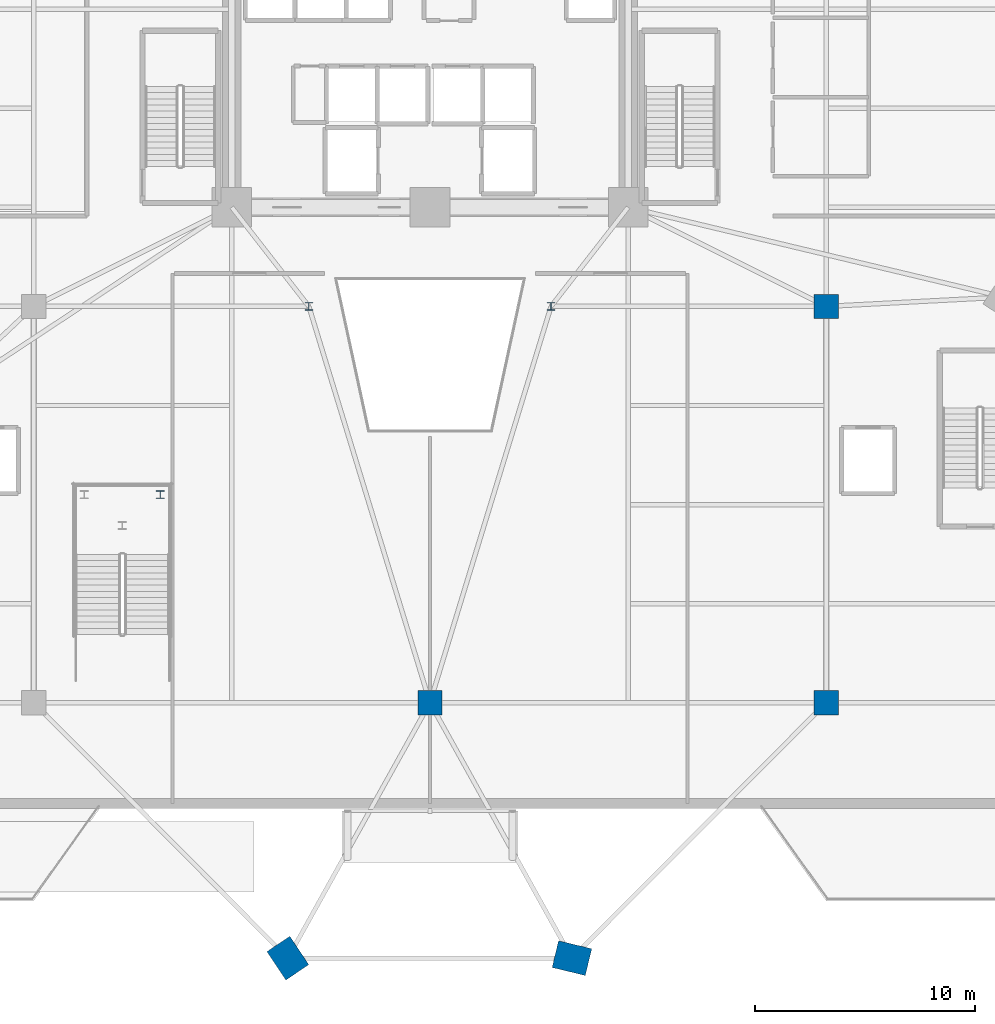
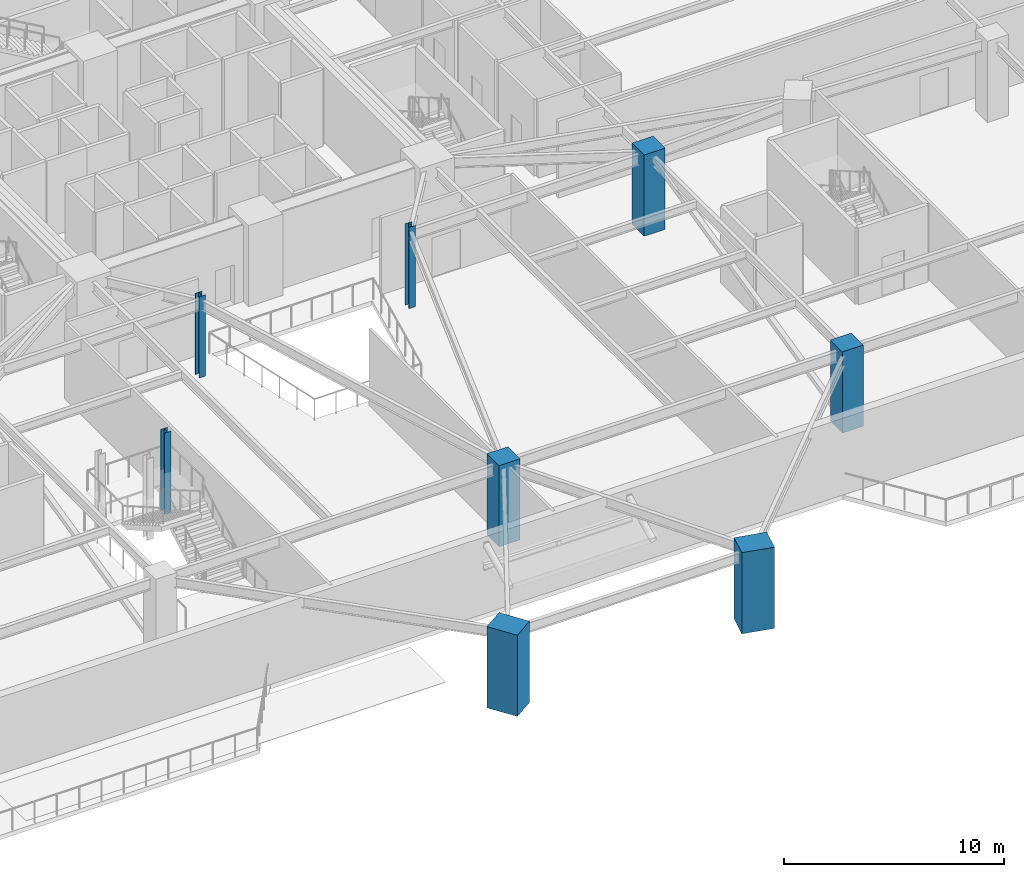
# One storey, part 2 of 19: 8 columns.
"""IFC4 building model written with IfcOpenShell, lengths in metres."""

from ifc_helpers import new_model, si_unit, direction, frame, origin, origin_2d, place, context, subcontext, project, spatial, rectangle, i_section, extrude, source, transform, mapped, material, material_profile, profile_set, type_object, element, save


model = new_model("IFC4")

# Units and contexts
model_context = context("Model", 3, precision=1e-05, world=origin(), true_north=direction((0.0, 1.0)))
body_context = subcontext(model_context, "Body", "Model", "MODEL_VIEW")
ifc_project = project(units=[si_unit("LENGTHUNIT", "METRE"), si_unit("AREAUNIT", "SQUARE_METRE"), si_unit("VOLUMEUNIT", "CUBIC_METRE"), si_unit("PLANEANGLEUNIT", "RADIAN"), si_unit("MASSUNIT", "GRAM", prefix="KILO")], contexts=[model_context])

# Site, building, storey
site_placement = place(None, origin())
site = spatial("IfcSite", under=ifc_project, at=site_placement, CompositionType="ELEMENT")
building_placement = place(site_placement, origin())
building = spatial("IfcBuilding", under=site, at=building_placement, Name="Liaohun Quay Tower", CompositionType="ELEMENT")
storey_placement = place(building_placement, frame((0.0, 0.0, 9.89990234375)))
storey = spatial("IfcBuildingStorey", under=building, at=storey_placement, Name="L03", CompositionType="ELEMENT", Elevation=9.89990234375)

# Columns
ifc_material_1 = material(Name="Concrete C60", Category="concrete")
ifc_material_profile_1 = material_profile(ifc_material_1, rectangle(XDim=1.550048828125, YDim=1.25, at=origin_2d()), Name="RC1550x1250")
ifc_profile_set_1 = profile_set([ifc_material_profile_1], Name="Concrete C60")
column_type_1 = type_object("IfcColumnType", Name="COL-PIER-Z1", PredefinedType="COLUMN", material=ifc_profile_set_1)
shared_shape_1 = source(origin(), body_context, "Body", "SweptSolid", [
    extrude(rectangle(XDim=1.550048828125, YDim=1.25, at=origin_2d()), origin(), (0.0, 0.0, 1.0), 4.5),
])
for number, where, z_axis, x_axis, name in (
    (1, (53.5458984375, 12.39697265625, 0.0), (0.0, 0.0, 1.0), (-0.556005513314, 0.831178602446, 0.0), "L03 Tower Mega-Pier PC01"),
    (2, (66.447998046875, 12.39892578125, 0.0), (0.0, 0.0, 1.0), (-0.972043021443, 0.234802820391, 0.0), "L03 Tower Mega-Pier PC11"),
):
    element("IfcColumn", number, at=place(storey_placement, frame(where, z_axis=z_axis, x_axis=x_axis)), inside=storey, type_object=column_type_1, Name=name, PredefinedType="COLUMN", context=body_context, shape_type="MappedRepresentation", body=[
        mapped(shared_shape_1, transform((0.0, 0.0, 0.0), x_axis=(1.0, 0.0, 0.0), y_axis=(0.0, 1.0, 0.0), z_axis=(0.0, 0.0, 1.0), scale=1.0)),
    ])
ifc_material_2 = material(Name="Concrete C55", Category="concrete")
ifc_material_profile_2 = material_profile(ifc_material_2, rectangle(XDim=1.10009765625, YDim=1.10009765625, at=origin_2d()), Name="RC1100x1100")
ifc_profile_set_2 = profile_set([ifc_material_profile_2], Name="Concrete C55")
column_type_2 = type_object("IfcColumnType", Name="COL-POD-P", PredefinedType="COLUMN", material=ifc_profile_set_2)
shared_shape_2 = source(origin(), body_context, "Body", "SweptSolid", [
    extrude(rectangle(XDim=1.10009765625, YDim=1.10009765625, at=origin_2d()), origin(), (0.0, 0.0, 1.0), 4.5),
])
for number, where, z_axis, x_axis, name in (
    (3, (60.0, 24.0, 0.0), (0.0, 0.0, 1.0), (1.0, 0.0, 0.0), "L03 Podium Column PG03"),
    (4, (78.0, 24.0, 0.0), (0.0, 0.0, 1.0), (1.0, 0.0, 0.0), "L03 Podium Column PG04"),
    (5, (78.0, 42.0, 0.0), (0.0, 0.0, 1.0), (1.0, 0.0, 0.0), "L03 Podium Column PG08"),
):
    element("IfcColumn", number, at=place(storey_placement, frame(where, z_axis=z_axis, x_axis=x_axis)), inside=storey, type_object=column_type_2, Name=name, PredefinedType="COLUMN", context=body_context, shape_type="MappedRepresentation", body=[
        mapped(shared_shape_2, transform((0.0, 0.0, 0.0), x_axis=(1.0, 0.0, 0.0), y_axis=(0.0, 1.0, 0.0), z_axis=(0.0, 0.0, 1.0), scale=1.0)),
    ])
ifc_material_3 = material(Name="Steel Q355D", Category="steel")
ifc_material_profile_3 = material_profile(ifc_material_3, i_section(OverallWidth=0.35009765625, OverallDepth=0.35009765625, WebThickness=0.011962890625, FlangeThickness=0.01904296875, at=origin_2d()), Name="HW350x350x12x19")
ifc_profile_set_3 = profile_set([ifc_material_profile_3], Name="Steel Q355D")
column_type_3 = type_object("IfcColumnType", Name="COL-STL-ATR", PredefinedType="COLUMN", material=ifc_profile_set_3)
shared_shape_3 = source(origin(), body_context, "Body", "SweptSolid", [
    extrude(i_section(OverallWidth=0.35009765625, OverallDepth=0.35009765625, WebThickness=0.011962890625, FlangeThickness=0.01904296875, at=origin_2d()), origin(), (0.0, 0.0, 1.0), 4.5),
])
for number, where, z_axis, x_axis, name in (
    (6, (54.5, 42.0, 0.0), (0.0, 0.0, 1.0), (1.0, 0.0, 0.0), "L03 Atrium Feature Column AT1"),
    (7, (65.5, 42.0, 0.0), (0.0, 0.0, 1.0), (1.0, 0.0, 0.0), "L03 Atrium Feature Column AT2"),
    (8, (47.75, 33.449951171875, 0.0), (0.0, 0.0, 1.0), (1.0, 0.0, 0.0), "L03 Monumental Stair Support Post STA2"),
):
    element("IfcColumn", number, at=place(storey_placement, frame(where, z_axis=z_axis, x_axis=x_axis)), inside=storey, type_object=column_type_3, Name=name, PredefinedType="COLUMN", context=body_context, shape_type="MappedRepresentation", body=[
        mapped(shared_shape_3, transform((0.0, 0.0, 0.0), x_axis=(1.0, 0.0, 0.0), y_axis=(0.0, 1.0, 0.0), z_axis=(0.0, 0.0, 1.0), scale=1.0)),
    ])

save(model, "model.ifc")
